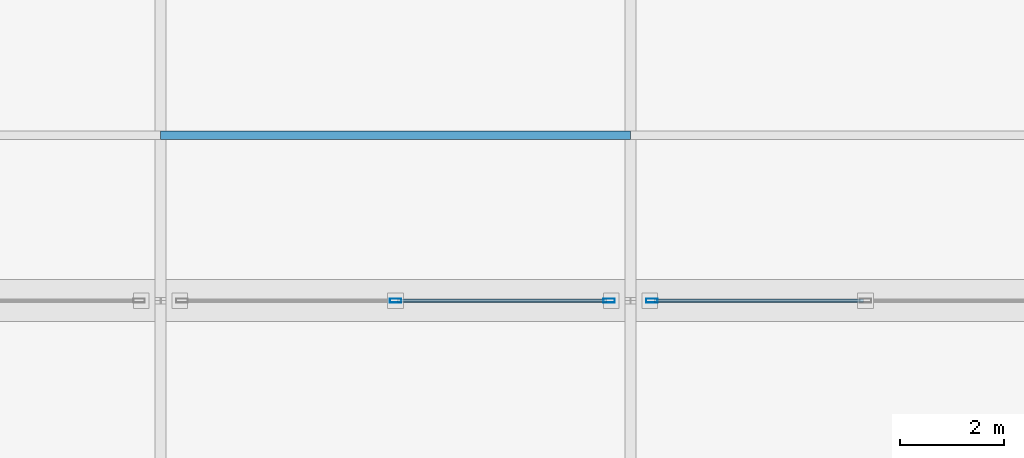
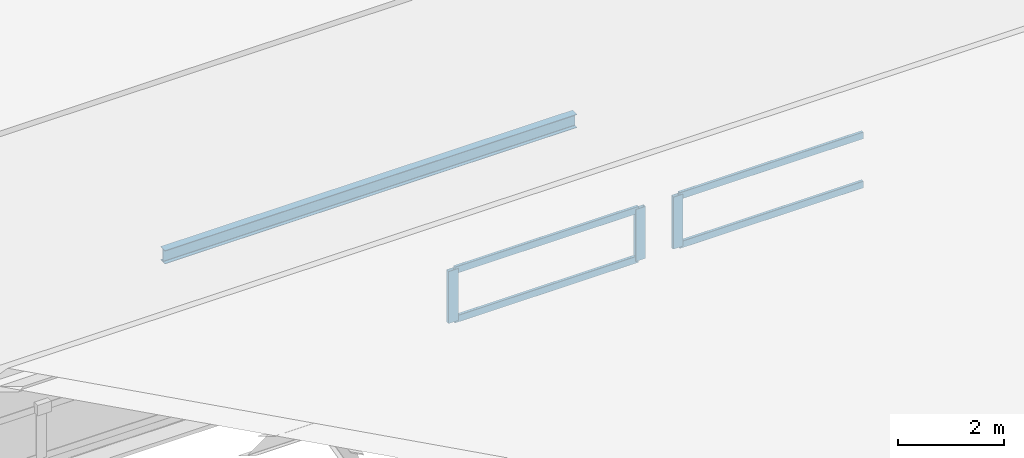
# One storey, part 6 of 36: 8 members, 2 elements without a shape of their own.
"""IFC4 building model written with IfcOpenShell, lengths in metres."""

from ifc_helpers import new_model, si_unit, direction, frame, origin, origin_2d, place, context, subcontext, project, spatial, hollow_rectangle, i_section, extrude, material, layer, layer_set, material_profile, profile_set, type_object, element, aggregate, save


model = new_model("IFC4")

# Units and contexts
model_context = context("Model", 3, precision=1e-05, world=origin(), true_north=direction((0.0, 1.0)))
body_context = subcontext(model_context, "Body", "Model", "MODEL_VIEW")
ifc_project = project(units=[si_unit("LENGTHUNIT", "METRE"), si_unit("AREAUNIT", "SQUARE_METRE"), si_unit("VOLUMEUNIT", "CUBIC_METRE"), si_unit("PLANEANGLEUNIT", "RADIAN"), si_unit("MASSUNIT", "GRAM", prefix="KILO")], contexts=[model_context])

# Site, building, storey
site_placement = place(None, origin())
site = spatial("IfcSite", under=ifc_project, at=site_placement, CompositionType="ELEMENT")
building_placement = place(site_placement, origin())
building = spatial("IfcBuilding", under=site, at=building_placement, Name="Qorvath Tower", CompositionType="ELEMENT")
storey_placement = place(building_placement, frame((0.0, 0.0, 27.0)))
storey = spatial("IfcBuildingStorey", under=building, at=storey_placement, Name="L05", CompositionType="ELEMENT", Elevation=27.0)

# Curtain wall, members
ifc_material_1 = material(Name="Anodised aluminium and triple low-E glass", Category="aluminium")
ifc_layer = layer(ifc_material_1, 0.179931640625)
ifc_layer_set = layer_set([ifc_layer], Name="CW-SYS-7")
curtain_wall_type = type_object("IfcCurtainWallType", Name="CW-SYS-7", PredefinedType="NOTDEFINED", material=ifc_layer_set)
curtain_wall_1_placement = place(storey_placement, origin())
curtain_wall_1 = element("IfcCurtainWall", 1, at=curtain_wall_1_placement, inside=storey, type_object=curtain_wall_type, Name="Curtain Wall CW-7 CW-LIB-SKY-2-3", PredefinedType="NOTDEFINED")
ifc_material_2 = material(Name="Anodised aluminium 6063-T6", Category="aluminium")
ifc_material_profile_1 = material_profile(ifc_material_2, hollow_rectangle(XDim=0.080078125, YDim=0.219970703125, WallThickness=0.00439453125, InnerFilletRadius=0.00439453125, OuterFilletRadius=0.009033203125, at=origin_2d()), Name="CWM LIB 220x80")
ifc_profile_set_1 = profile_set([ifc_material_profile_1], Name="Anodised aluminium 6063-T6")
member_type_1 = type_object("IfcMemberType", Name="CWM-LIB", PredefinedType="MULLION", material=ifc_profile_set_1)
member_1_placement = place(storey_placement, frame((54.89990234375, -9.60009765625, 0.0), z_axis=(0.0, 0.0, 1.0), x_axis=(0.0, 1.0, 0.0)))
member_1 = element("IfcMember", 2, at=member_1_placement, type_object=member_type_1, Name="CW-7 mullion 2", PredefinedType="MULLION", context=body_context, shape_type="SweptSolid", body=[
    extrude(hollow_rectangle(XDim=0.080078125, YDim=0.219970703125, WallThickness=0.00439453125, InnerFilletRadius=0.00439453125, OuterFilletRadius=0.009033203125, at=origin_2d()), origin(), (0.0, 0.0, 1.0), 1.199951171875),
])
member_2_placement = place(storey_placement, frame((58.989990234375, -9.60009765625, 0.0), z_axis=(0.0, 0.0, 1.0), x_axis=(0.0, 1.0, 0.0)))
member_2 = element("IfcMember", 3, at=member_2_placement, type_object=member_type_1, Name="CW-7 mullion 3", PredefinedType="MULLION", context=body_context, shape_type="SweptSolid", body=[
    extrude(hollow_rectangle(XDim=0.080078125, YDim=0.219970703125, WallThickness=0.00439453125, InnerFilletRadius=0.00439453125, OuterFilletRadius=0.009033203125, at=origin_2d()), origin(), (0.0, 0.0, 1.0), 1.199951171875),
])

# Curtain wall, member
curtain_wall_2_placement = place(storey_placement, origin())
curtain_wall_2 = element("IfcCurtainWall", 4, at=curtain_wall_2_placement, inside=storey, type_object=curtain_wall_type, Name="Curtain Wall CW-7 CW-LIB-SKY-2-4", PredefinedType="NOTDEFINED")
member_3_placement = place(storey_placement, frame((59.81005859375, -9.60009765625, 0.0), z_axis=(0.0, 0.0, 1.0), x_axis=(0.0, 1.0, 0.0)))
member_3 = element("IfcMember", 5, at=member_3_placement, type_object=member_type_1, Name="CW-7 mullion 1", PredefinedType="MULLION", context=body_context, shape_type="SweptSolid", body=[
    extrude(hollow_rectangle(XDim=0.080078125, YDim=0.219970703125, WallThickness=0.00439453125, InnerFilletRadius=0.00439453125, OuterFilletRadius=0.009033203125, at=origin_2d()), origin(), (0.0, 0.0, 1.0), 1.199951171875),
])

# Member
ifc_material_3 = material(Name="Anodised aluminium 6063-T6", Category="aluminium")
ifc_material_profile_2 = material_profile(ifc_material_3, hollow_rectangle(XDim=0.06494140625, YDim=0.159912109375, WallThickness=0.00341796875, InnerFilletRadius=0.00341796875, OuterFilletRadius=0.007080078125, at=origin_2d()), Name="CWT 160x65")
ifc_profile_set_2 = profile_set([ifc_material_profile_2], Name="Anodised aluminium 6063-T6")
member_type_2 = type_object("IfcMemberType", Name="CWT-160", PredefinedType="USERDEFINED", material=ifc_profile_set_2)
member_4_placement = place(storey_placement, frame((54.93994140625, -9.60009765625, 0.032470703125), z_axis=(1.0, 0.0, 0.0), x_axis=(0.0, 1.0, 0.0)))
member_4 = element("IfcMember", 6, at=member_4_placement, type_object=member_type_2, Name="CW-7 transom 2.1", ObjectType="TRANSOM", PredefinedType="USERDEFINED", context=body_context, shape_type="SweptSolid", body=[
    extrude(hollow_rectangle(XDim=0.06494140625, YDim=0.159912109375, WallThickness=0.00341796875, InnerFilletRadius=0.00341796875, OuterFilletRadius=0.007080078125, at=origin_2d()), origin(), (0.0, 0.0, 1.0), 4.010009765625),
])

member_5_placement = place(storey_placement, frame((54.93994140625, -9.60009765625, 1.16748046875), z_axis=(1.0, 0.0, 0.0), x_axis=(0.0, 1.0, 0.0)))
member_5 = element("IfcMember", 7, at=member_5_placement, type_object=member_type_2, Name="CW-7 transom 2.2", ObjectType="TRANSOM", PredefinedType="USERDEFINED", context=body_context, shape_type="SweptSolid", body=[
    extrude(hollow_rectangle(XDim=0.06494140625, YDim=0.159912109375, WallThickness=0.00341796875, InnerFilletRadius=0.00341796875, OuterFilletRadius=0.007080078125, at=origin_2d()), origin(), (0.0, 0.0, 1.0), 4.010009765625),
])

aggregate(curtain_wall_1, [member_1, member_2, member_4, member_5])

member_6_placement = place(storey_placement, frame((59.85009765625, -9.60009765625, 0.032470703125), z_axis=(1.0, 0.0, 0.0), x_axis=(0.0, 1.0, 0.0)))
member_6 = element("IfcMember", 8, at=member_6_placement, type_object=member_type_2, Name="CW-7 transom 1.1", ObjectType="TRANSOM", PredefinedType="USERDEFINED", context=body_context, shape_type="SweptSolid", body=[
    extrude(hollow_rectangle(XDim=0.06494140625, YDim=0.159912109375, WallThickness=0.00341796875, InnerFilletRadius=0.00341796875, OuterFilletRadius=0.007080078125, at=origin_2d()), origin(), (0.0, 0.0, 1.0), 4.010009765625),
])

member_7_placement = place(storey_placement, frame((59.85009765625, -9.60009765625, 1.16748046875), z_axis=(1.0, 0.0, 0.0), x_axis=(0.0, 1.0, 0.0)))
member_7 = element("IfcMember", 9, at=member_7_placement, type_object=member_type_2, Name="CW-7 transom 1.2", ObjectType="TRANSOM", PredefinedType="USERDEFINED", context=body_context, shape_type="SweptSolid", body=[
    extrude(hollow_rectangle(XDim=0.06494140625, YDim=0.159912109375, WallThickness=0.00341796875, InnerFilletRadius=0.00341796875, OuterFilletRadius=0.007080078125, at=origin_2d()), origin(), (0.0, 0.0, 1.0), 4.010009765625),
])

aggregate(curtain_wall_2, [member_3, member_6, member_7])

ifc_material_4 = material(Name="Steel ASTM A992 Grade 50", Category="steel")
ifc_material_profile_3 = material_profile(ifc_material_4, i_section(OverallWidth=0.1650390625, OverallDepth=0.31005859375, WebThickness=0.005859375, FlangeThickness=0.009765625, FilletRadius=0.010009765625, at=origin_2d()), Name="W12x26")
ifc_profile_set_3 = profile_set([ifc_material_profile_3], Name="Steel ASTM A992 Grade 50")
member_type_3 = type_object("IfcMemberType", Name="MEM-PR1", PredefinedType="PURLIN", material=ifc_profile_set_3)
member_8_placement = place(storey_placement, frame((50.39990234375, -6.431884765625, 1.1708984375), z_axis=(1.0, 0.0, 0.0), x_axis=(0.0, 1.0, 0.0)))
element("IfcMember", 10, at=member_8_placement, inside=storey, type_object=member_type_3, Name="Library Folded Roof Purlin F4-P1-3", PredefinedType="PURLIN", context=body_context, shape_type="SweptSolid", body=[
    extrude(i_section(OverallWidth=0.1650390625, OverallDepth=0.31005859375, WebThickness=0.005859375, FlangeThickness=0.009765625, FilletRadius=0.010009765625, at=origin_2d()), origin(), (0.0, 0.0, 1.0), 9.0),
])

save(model, "model.ifc")
